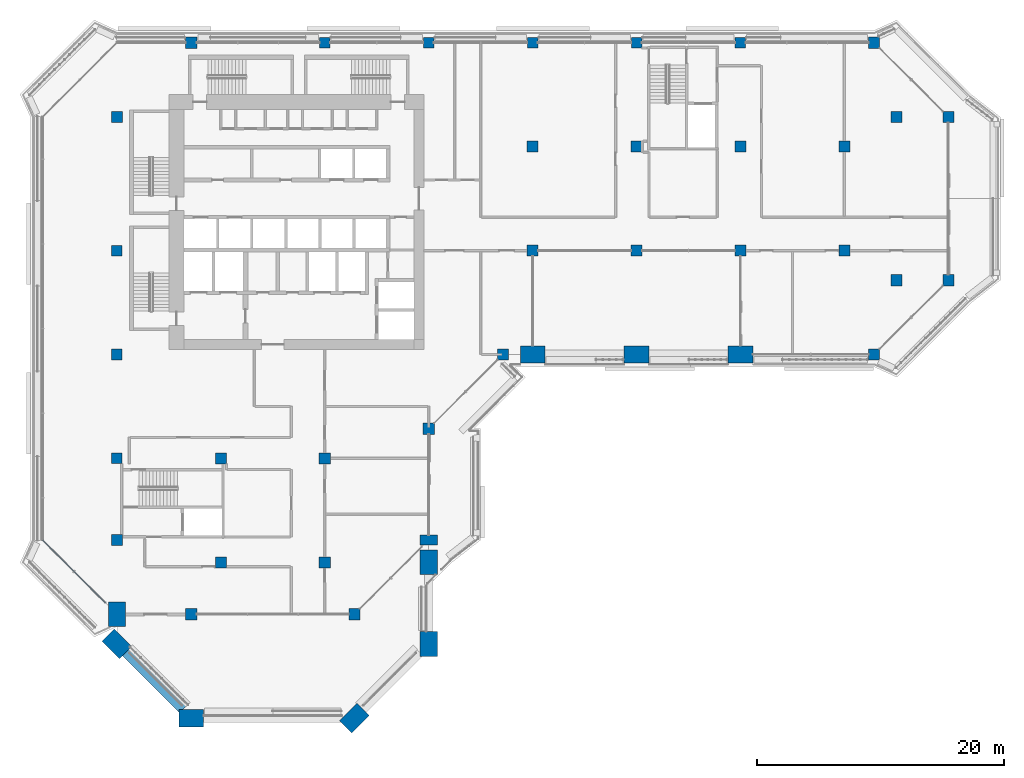
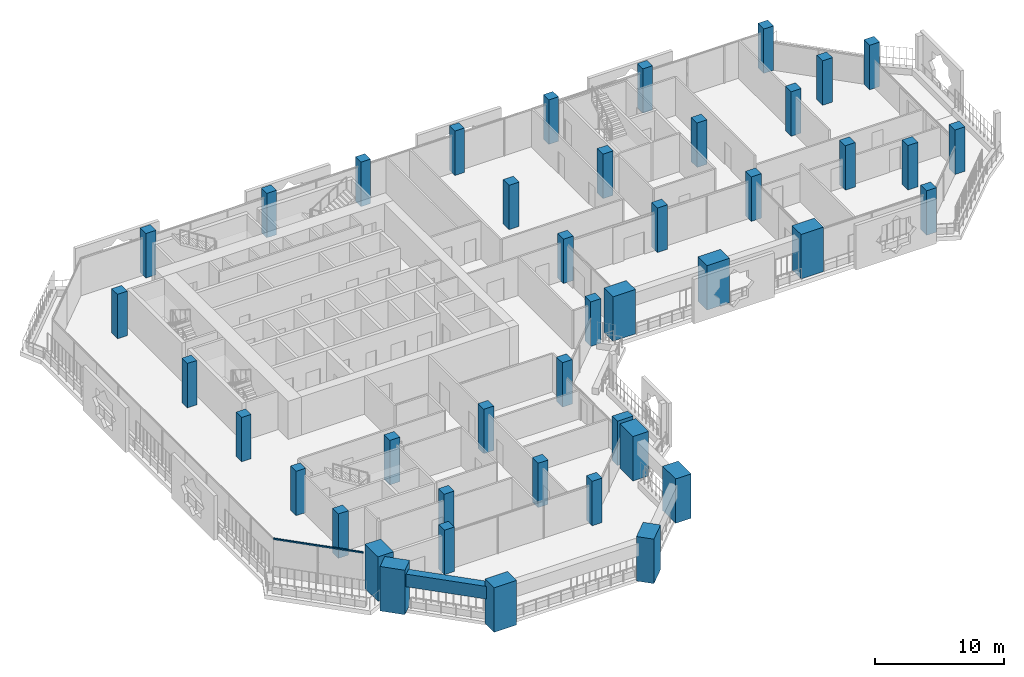
# One storey, part 1 of 24: 43 columns, 1 beam, 1 member, 1 element without a shape of its own.
"""IFC4 building model written with IfcOpenShell, lengths in metres."""

from ifc_helpers import new_model, si_unit, direction, frame, origin, origin_2d, place, context, subcontext, project, spatial, rectangle, extrude, material, layer, layer_set, material_profile, profile_set, type_object, element, aggregate, save


model = new_model("IFC4")

# Units and contexts
model_context = context("Model", 3, precision=1e-05, world=origin(), true_north=direction((0.0, 1.0)))
body_context = subcontext(model_context, "Body", "Model", "MODEL_VIEW")
ifc_project = project(units=[si_unit("LENGTHUNIT", "METRE"), si_unit("AREAUNIT", "SQUARE_METRE"), si_unit("VOLUMEUNIT", "CUBIC_METRE"), si_unit("PLANEANGLEUNIT", "RADIAN"), si_unit("MASSUNIT", "GRAM", prefix="KILO")], contexts=[model_context])

# Site, building, storey
site_placement = place(None, origin())
site = spatial("IfcSite", under=ifc_project, at=site_placement, CompositionType="ELEMENT")
building_placement = place(site_placement, origin())
building = spatial("IfcBuilding", under=site, at=building_placement, Name="Kawkab Arch Medical Tower", CompositionType="ELEMENT")
storey_placement = place(building_placement, frame((0.0, 0.0, 218.0)))
storey = spatial("IfcBuildingStorey", under=building, at=storey_placement, Name="L50", CompositionType="ELEMENT", Elevation=218.0)

# Columns
ifc_material_1 = material(Name="Concrete C45/55", Category="concrete")
ifc_material_profile_1 = material_profile(ifc_material_1, rectangle(XDim=2.0, YDim=1.39990234375, at=origin_2d()), Name="RC 2000x1400")
ifc_profile_set_1 = profile_set([ifc_material_profile_1], Name="Concrete C45/55")
column_type_1 = type_object("IfcColumnType", Name="RC 2000x1400 column C45/55", PredefinedType="COLUMN", material=ifc_profile_set_1)
for number, where, z_axis, x_axis, name in (
    (1, (42.0, -25.199951171875, 0.0), (0.0, 0.0, 1.0), (-1.0, 0.0, 0.0), "Column RC 2000x1400"),
    (2, (50.39990234375, -25.199951171875, 0.0), (0.0, 0.0, 1.0), (-1.0, 0.0, 0.0), "Column RC 2000x1400"),
    (3, (25.199951171875, -42.0, 0.0), (0.0, 0.0, 1.0), (0.0, -1.0, 0.0), "Column RC 2000x1400"),
    (4, (25.199951171875, -48.60009765625, 0.0), (0.0, 0.0, 1.0), (0.0, -1.0, 0.0), "Column RC 2000x1400"),
    (5, (19.199951171875, -54.60009765625, 0.0), (0.0, 0.0, 1.0), (-0.707106781187, -0.707106781187, 0.0), "Column RC 2000x1400"),
    (6, (6.0, -54.60009765625, 0.0), (0.0, 0.0, 1.0), (-1.0, 0.0, 0.0), "Column RC 2000x1400"),
    (7, (0.0, -48.60009765625, 0.0), (0.0, 0.0, 1.0), (-0.707106781187, 0.707106781187, 0.0), "Column RC 2000x1400"),
    (8, (0.0, -46.199951171875, 0.0), (0.0, 0.0, 1.0), (0.0, 1.0, 0.0), "Column RC 2000x1400"),
    (9, (33.60009765625, -25.199951171875, 0.0), (0.0, 0.0, 1.0), (-1.0, 0.0, 0.0), "Column RC 2000x1400"),
):
    element("IfcColumn", number, at=place(storey_placement, frame(where, z_axis=z_axis, x_axis=x_axis)), inside=storey, type_object=column_type_1, Name=name, PredefinedType="COLUMN", context=body_context, shape_type="SweptSolid", body=[
        extrude(rectangle(XDim=2.0, YDim=1.39990234375, at=origin_2d()), origin(), (0.0, 0.0, 1.0), 4.199951171875),
    ])
ifc_material_2 = material(Name="Concrete C45/55", Category="concrete")
ifc_material_profile_2 = material_profile(ifc_material_2, rectangle(XDim=0.800048828125, YDim=1.39990234375, at=origin_2d()), Name="RC 800x1400")
ifc_profile_set_2 = profile_set([ifc_material_profile_2], Name="Concrete C45/55")
column_type_2 = type_object("IfcColumnType", Name="RC 800x1400 column C45/55", PredefinedType="COLUMN", material=ifc_profile_set_2)
column_placement = place(storey_placement, frame((25.199951171875, -40.199951171875, 0.0), z_axis=(0.0, 0.0, 1.0), x_axis=(0.0, -1.0, 0.0)))
element("IfcColumn", 10, at=column_placement, inside=storey, type_object=column_type_2, Name="Column RC 800x1400", PredefinedType="COLUMN", context=body_context, shape_type="SweptSolid", body=[
    extrude(rectangle(XDim=0.800048828125, YDim=1.39990234375, at=origin_2d()), origin(), (0.0, 0.0, 1.0), 4.199951171875),
])
ifc_material_3 = material(Name="Concrete C45/55", Category="concrete")
ifc_material_profile_3 = material_profile(ifc_material_3, rectangle(XDim=0.85009765625, YDim=0.85009765625, at=origin_2d()), Name="RC 850x850")
ifc_profile_set_3 = profile_set([ifc_material_profile_3], Name="Concrete C45/55")
column_type_3 = type_object("IfcColumnType", Name="RC 850x850 column C45/55", PredefinedType="COLUMN", material=ifc_profile_set_3)
for number, where, z_axis, x_axis, name in (
    (11, (16.800048828125, 0.0, 0.0), (0.0, 0.0, 1.0), (1.0, 0.0, 0.0), "Column RC 850x850"),
    (12, (25.199951171875, 0.0, 0.0), (0.0, 0.0, 1.0), (1.0, 0.0, 0.0), "Column RC 850x850"),
    (13, (33.60009765625, 0.0, 0.0), (0.0, 0.0, 1.0), (1.0, 0.0, 0.0), "Column RC 850x850"),
    (14, (42.0, 0.0, 0.0), (0.0, 0.0, 1.0), (1.0, 0.0, 0.0), "Column RC 850x850"),
    (15, (50.39990234375, 0.0, 0.0), (0.0, 0.0, 1.0), (1.0, 0.0, 0.0), "Column RC 850x850"),
    (16, (0.0, -16.800048828125, 0.0), (0.0, 0.0, 1.0), (1.0, 0.0, 0.0), "Column RC 850x850"),
    (17, (0.0, -25.199951171875, 0.0), (0.0, 0.0, 1.0), (1.0, 0.0, 0.0), "Column RC 850x850"),
    (18, (0.0, -33.60009765625, 0.0), (0.0, 0.0, 1.0), (1.0, 0.0, 0.0), "Column RC 850x850"),
):
    element("IfcColumn", number, at=place(storey_placement, frame(where, z_axis=z_axis, x_axis=x_axis)), inside=storey, type_object=column_type_3, Name=name, PredefinedType="COLUMN", context=body_context, shape_type="SweptSolid", body=[
        extrude(rectangle(XDim=0.85009765625, YDim=0.85009765625, at=origin_2d()), origin(), (0.0, 0.0, 1.0), 4.199951171875),
    ])
ifc_material_4 = material(Name="Concrete C45/55", Category="concrete")
ifc_material_profile_4 = material_profile(ifc_material_4, rectangle(XDim=0.89990234375, YDim=0.89990234375, at=origin_2d()), Name="RC 900x900")
ifc_profile_set_4 = profile_set([ifc_material_profile_4], Name="Concrete C45/55")
column_type_4 = type_object("IfcColumnType", Name="RC 900x900 column C45/55", PredefinedType="COLUMN", material=ifc_profile_set_4)
for number, where, z_axis, x_axis, name in (
    (19, (6.0, 0.0, 0.0), (0.0, 0.0, 1.0), (1.0, 0.0, 0.0), "Column RC 900x900"),
    (20, (61.199951171875, 0.0, 0.0), (0.0, 0.0, 1.0), (1.0, 0.0, 0.0), "Column RC 900x900"),
    (21, (0.0, -6.0, 0.0), (0.0, 0.0, 1.0), (1.0, 0.0, 0.0), "Column RC 900x900"),
    (22, (63.0, -6.0, 0.0), (0.0, 0.0, 1.0), (1.0, 0.0, 0.0), "Column RC 900x900"),
    (23, (67.199951171875, -6.0, 0.0), (0.0, 0.0, 1.0), (1.0, 0.0, 0.0), "Column RC 900x900"),
    (24, (33.60009765625, -8.39990234375, 0.0), (0.0, 0.0, 1.0), (1.0, 0.0, 0.0), "Column RC 900x900"),
    (25, (42.0, -8.39990234375, 0.0), (0.0, 0.0, 1.0), (1.0, 0.0, 0.0), "Column RC 900x900"),
    (26, (50.39990234375, -8.39990234375, 0.0), (0.0, 0.0, 1.0), (1.0, 0.0, 0.0), "Column RC 900x900"),
    (27, (58.800048828125, -8.39990234375, 0.0), (0.0, 0.0, 1.0), (1.0, 0.0, 0.0), "Column RC 900x900"),
    (28, (33.60009765625, -16.800048828125, 0.0), (0.0, 0.0, 1.0), (1.0, 0.0, 0.0), "Column RC 900x900"),
    (29, (42.0, -16.800048828125, 0.0), (0.0, 0.0, 1.0), (1.0, 0.0, 0.0), "Column RC 900x900"),
    (30, (50.39990234375, -16.800048828125, 0.0), (0.0, 0.0, 1.0), (1.0, 0.0, 0.0), "Column RC 900x900"),
    (31, (58.800048828125, -16.800048828125, 0.0), (0.0, 0.0, 1.0), (1.0, 0.0, 0.0), "Column RC 900x900"),
    (32, (63.0, -19.199951171875, 0.0), (0.0, 0.0, 1.0), (1.0, 0.0, 0.0), "Column RC 900x900"),
    (33, (67.199951171875, -19.199951171875, 0.0), (0.0, 0.0, 1.0), (1.0, 0.0, 0.0), "Column RC 900x900"),
    (34, (31.199951171875, -25.199951171875, 0.0), (0.0, 0.0, 1.0), (1.0, 0.0, 0.0), "Column RC 900x900"),
    (35, (61.199951171875, -25.199951171875, 0.0), (0.0, 0.0, 1.0), (1.0, 0.0, 0.0), "Column RC 900x900"),
    (36, (25.199951171875, -31.199951171875, 0.0), (0.0, 0.0, 1.0), (1.0, 0.0, 0.0), "Column RC 900x900"),
    (37, (8.39990234375, -33.60009765625, 0.0), (0.0, 0.0, 1.0), (1.0, 0.0, 0.0), "Column RC 900x900"),
    (38, (16.800048828125, -33.60009765625, 0.0), (0.0, 0.0, 1.0), (1.0, 0.0, 0.0), "Column RC 900x900"),
    (39, (0.0, -40.199951171875, 0.0), (0.0, 0.0, 1.0), (1.0, 0.0, 0.0), "Column RC 900x900"),
    (40, (8.39990234375, -42.0, 0.0), (0.0, 0.0, 1.0), (1.0, 0.0, 0.0), "Column RC 900x900"),
    (41, (16.800048828125, -42.0, 0.0), (0.0, 0.0, 1.0), (1.0, 0.0, 0.0), "Column RC 900x900"),
    (42, (6.0, -46.199951171875, 0.0), (0.0, 0.0, 1.0), (1.0, 0.0, 0.0), "Column RC 900x900"),
    (43, (19.199951171875, -46.199951171875, 0.0), (0.0, 0.0, 1.0), (1.0, 0.0, 0.0), "Column RC 900x900"),
):
    element("IfcColumn", number, at=place(storey_placement, frame(where, z_axis=z_axis, x_axis=x_axis)), inside=storey, type_object=column_type_4, Name=name, PredefinedType="COLUMN", context=body_context, shape_type="SweptSolid", body=[
        extrude(rectangle(XDim=0.89990234375, YDim=0.89990234375, at=origin_2d()), origin(), (0.0, 0.0, 1.0), 4.199951171875),
    ])

# Curtain wall, member
ifc_material_5 = material(Name="Bronze anodised aluminium curtain wall frame", Category="aluminium")
ifc_layer = layer(ifc_material_5, 0.159912109375)
ifc_layer_set = layer_set([ifc_layer], Name="Bronze anodised aluminium curtain wall frame")
curtain_wall_type = type_object("IfcCurtainWallType", Name="CW2 chamfer curtain wall", PredefinedType="NOTDEFINED", material=ifc_layer_set)
curtain_wall_placement = place(storey_placement, origin())
curtain_wall = element("IfcCurtainWall", 44, at=curtain_wall_placement, inside=storey, type_object=curtain_wall_type, Name="CW2 Chamfer curtain wall R12", PredefinedType="NOTDEFINED")
ifc_material_6 = material(Name="Bronze anodised aluminium curtain wall frame", Category="aluminium")
ifc_material_profile_5 = material_profile(ifc_material_6, rectangle(XDim=0.06005859375, YDim=0.139892578125, at=origin_2d()), Name="AL 60x140")
ifc_profile_set_5 = profile_set([ifc_material_profile_5], Name="Bronze anodised aluminium curtain wall frame")
member_type = type_object("IfcMemberType", Name="CW2 transom 140 x 60", PredefinedType="USERDEFINED", material=ifc_profile_set_5)
member_placement = place(storey_placement, frame((-6.0, -40.199951171875, 3.530029296875), z_axis=(0.707089754982, -0.707123806981, 0.0), x_axis=(0.707123806981, 0.707089754982, 0.0)))
member = element("IfcMember", 45, at=member_placement, type_object=member_type, Name="CW2 transom 1", ObjectType="TRANSOM", PredefinedType="USERDEFINED", context=body_context, shape_type="SweptSolid", body=[
    extrude(rectangle(XDim=0.06005859375, YDim=0.139892578125, at=origin_2d()), origin(), (0.0, 0.0, 1.0), 7.169677734375),
])
aggregate(curtain_wall, [member])

# Beam
ifc_material_7 = material(Name="Concrete C45/55", Category="concrete")
ifc_material_profile_6 = material_profile(ifc_material_7, rectangle(XDim=0.699951171875, YDim=1.199951171875, at=origin_2d()), Name="RC 700x1200")
ifc_profile_set_6 = profile_set([ifc_material_profile_6], Name="Concrete C45/55")
beam_type = type_object("IfcBeamType", Name="RC 700x1200 beam C45/55", PredefinedType="BEAM", material=ifc_profile_set_6)
beam_placement = place(storey_placement, frame((5.300048828125, -53.89990234375, 3.0), z_axis=(-0.707125574473, 0.707087987401, 0.0), x_axis=(-0.707087987401, -0.707125574473, 0.0)))
element("IfcBeam", 46, at=beam_placement, inside=storey, type_object=beam_type, Name="Terrace frame beam TF-L50-1-L51-05", PredefinedType="BEAM", context=body_context, shape_type="SweptSolid", body=[
    extrude(rectangle(XDim=0.699951171875, YDim=1.199951171875, at=origin_2d()), origin(), (0.0, 0.0, 1.0), 6.495361328125),
])

save(model, "model.ifc")
